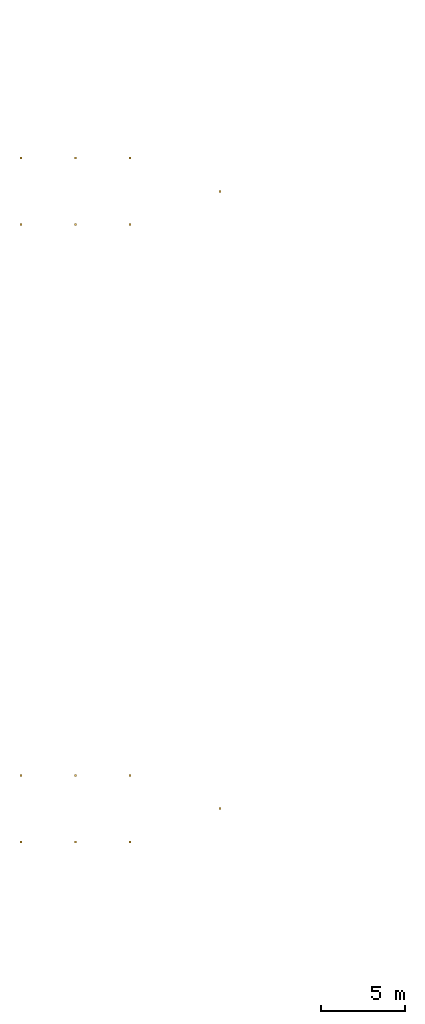
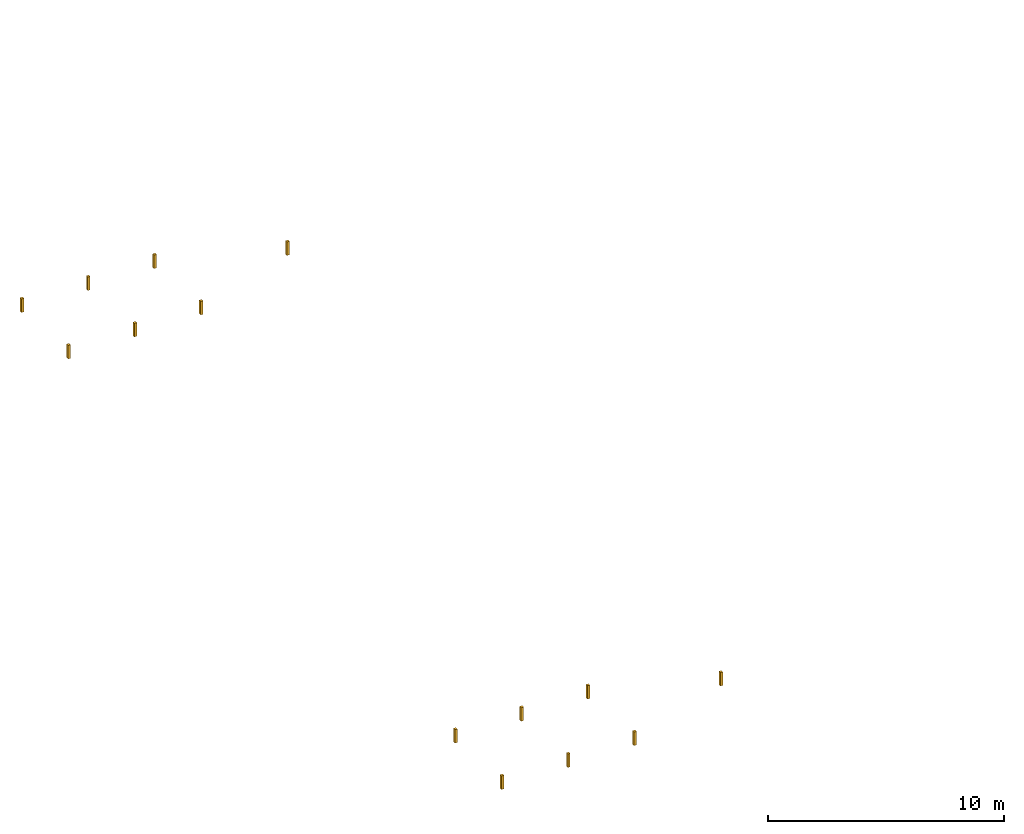
# One storey, part 29 of 30: 14 coverings.
"""IFC4 building model written with IfcOpenShell, lengths in metres."""

from ifc_helpers import new_model, si_unit, direction, frame, origin, origin_2d, place, context, subcontext, project, spatial, rectangle, extrude, material, type_object, element, save


model = new_model("IFC4")

# Units and contexts
model_context = context("Model", 3, precision=1e-05, world=origin(), true_north=direction((0.0, 1.0)))
body_context = subcontext(model_context, "Body", "Model", "MODEL_VIEW")
ifc_project = project(units=[si_unit("LENGTHUNIT", "METRE"), si_unit("AREAUNIT", "SQUARE_METRE"), si_unit("VOLUMEUNIT", "CUBIC_METRE"), si_unit("PLANEANGLEUNIT", "RADIAN"), si_unit("MASSUNIT", "GRAM", prefix="KILO")], contexts=[model_context])

# Site, building, storey
site_placement = place(None, origin())
site = spatial("IfcSite", under=ifc_project, at=site_placement, CompositionType="ELEMENT")
building_placement = place(site_placement, origin())
building = spatial("IfcBuilding", under=site, at=building_placement, Name="Noorbagh Ring Tower", CompositionType="ELEMENT")
storey_placement = place(building_placement, frame((0.0, 0.0, 30.5)))
storey = spatial("IfcBuildingStorey", under=building, at=storey_placement, Name="L05", CompositionType="ELEMENT", Elevation=30.5)

# Coverings
ifc_material = material(Name="Brass finial")
covering_type = type_object("IfcCoveringType", Name="STH-FINIAL", PredefinedType="ROOFING", material=ifc_material)
for number, where, z_axis, x_axis, name in (
    (1, (-126.625, -15.3798828125, -0.0400390625), (0.0, 0.0, 1.0), (1.0, 0.0, 0.0), "Dome finial"),
    (2, (-126.625, -11.419921875, -0.0400390625), (0.0, 0.0, 1.0), (1.0, 0.0, 0.0), "Dome finial"),
    (3, (-123.375, -15.3798828125, -0.0400390625), (0.0, 0.0, 1.0), (1.0, 0.0, 0.0), "Dome finial"),
    (4, (-123.375, -11.419921875, -0.0400390625), (0.0, 0.0, 1.0), (1.0, 0.0, 0.0), "Dome finial"),
    (5, (-120.125, -15.3798828125, -0.0400390625), (0.0, 0.0, 1.0), (1.0, 0.0, 0.0), "Dome finial"),
    (6, (-120.125, -11.419921875, -0.0400390625), (0.0, 0.0, 1.0), (1.0, 0.0, 0.0), "Dome finial"),
    (7, (-114.75, -13.39990234375, -0.0400390625), (0.0, 0.0, 1.0), (1.0, 0.0, 0.0), "Dome finial"),
    (8, (-126.625, 21.419921875, -0.0400390625), (0.0, 0.0, 1.0), (1.0, 0.0, 0.0), "Dome finial"),
    (9, (-126.625, 25.3798828125, -0.0400390625), (0.0, 0.0, 1.0), (1.0, 0.0, 0.0), "Dome finial"),
    (10, (-123.375, 21.419921875, -0.0400390625), (0.0, 0.0, 1.0), (1.0, 0.0, 0.0), "Dome finial"),
    (11, (-123.375, 25.3798828125, -0.0400390625), (0.0, 0.0, 1.0), (1.0, 0.0, 0.0), "Dome finial"),
    (12, (-120.125, 21.419921875, -0.0400390625), (0.0, 0.0, 1.0), (1.0, 0.0, 0.0), "Dome finial"),
    (13, (-120.125, 25.3798828125, -0.0400390625), (0.0, 0.0, 1.0), (1.0, 0.0, 0.0), "Dome finial"),
    (14, (-114.75, 23.39990234375, -0.0400390625), (0.0, 0.0, 1.0), (1.0, 0.0, 0.0), "Dome finial"),
):
    element("IfcCovering", number, at=place(storey_placement, frame(where, z_axis=z_axis, x_axis=x_axis)), inside=storey, type_object=covering_type, Name=name, PredefinedType="ROOFING", context=body_context, shape_type="SweptSolid", body=[
        extrude(rectangle(XDim=0.1201171875, YDim=0.1201171875, at=origin_2d()), origin(), (0.0, 0.0, 1.0), 0.699951171875),
    ])

save(model, "model.ifc")
